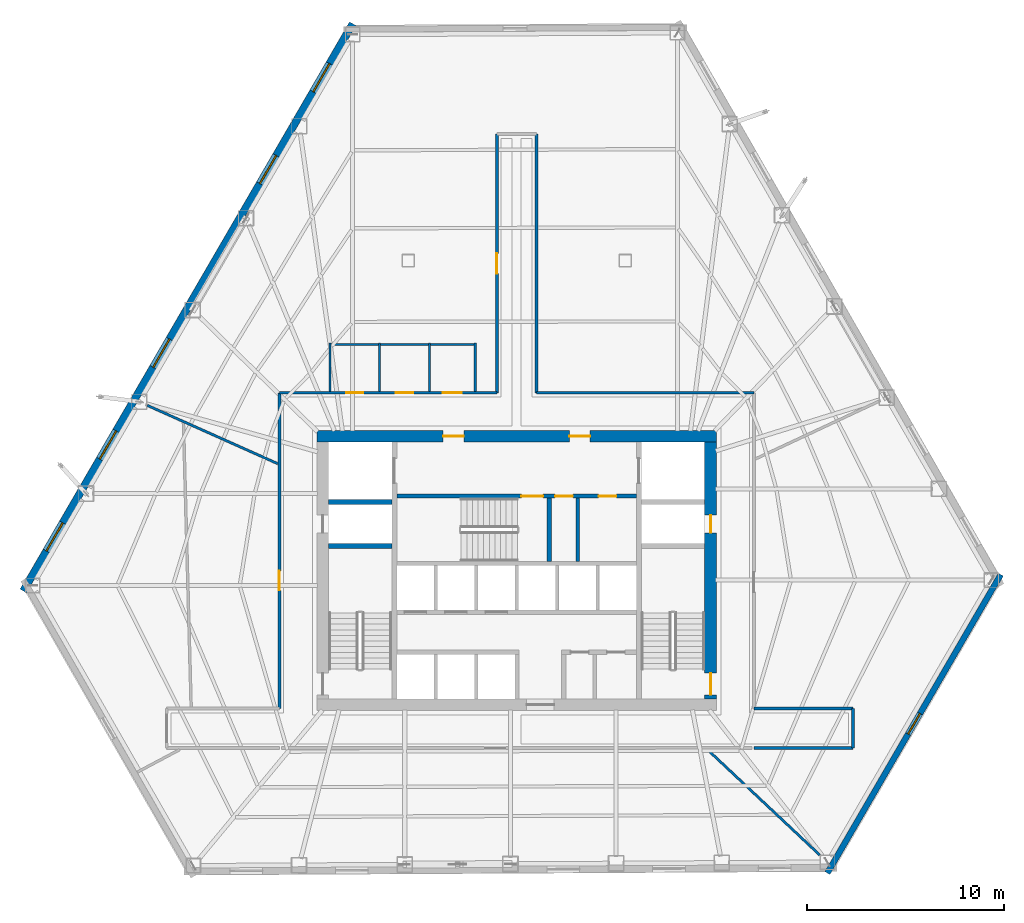
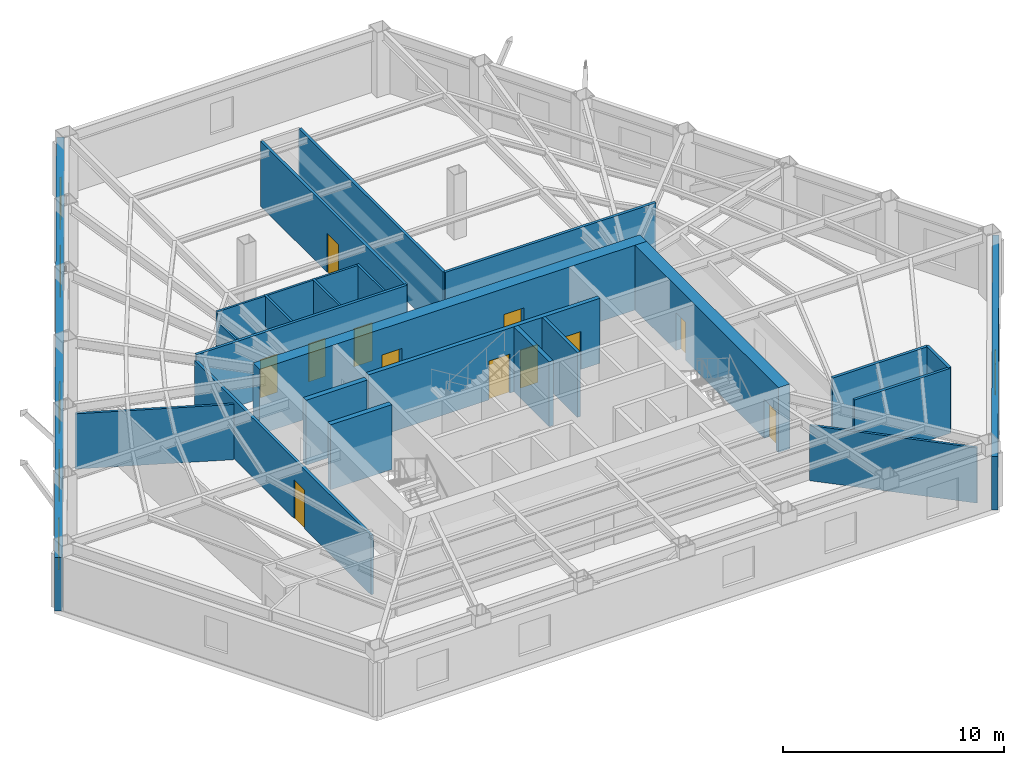
# One storey, part 9 of 12: 24 walls, 12 doors, 6 windows, 18 openings.
"""IFC4 building model written with IfcOpenShell, lengths in metres."""

from ifc_helpers import new_model, si_unit, direction, frame, frame_2d, origin, place, context, subcontext, project, spatial, rectangle, extrude, material, layer, layer_set, type_object, element, fill, save


model = new_model("IFC4")

# Units and contexts
model_context = context("Model", 3, precision=1e-05, world=origin(), true_north=direction((0.0, 1.0)))
body_context = subcontext(model_context, "Body", "Model", "MODEL_VIEW")
ifc_project = project(units=[si_unit("LENGTHUNIT", "METRE"), si_unit("AREAUNIT", "SQUARE_METRE"), si_unit("VOLUMEUNIT", "CUBIC_METRE"), si_unit("PLANEANGLEUNIT", "RADIAN"), si_unit("MASSUNIT", "GRAM", prefix="KILO")], contexts=[model_context])

# Site, building, storey
site_placement = place(None, origin())
site = spatial("IfcSite", under=ifc_project, at=site_placement, CompositionType="ELEMENT")
building_placement = place(site_placement, origin())
building = spatial("IfcBuilding", under=site, at=building_placement, Name="Kavelnor Concourse Tower", CompositionType="ELEMENT")
storey_placement = place(building_placement, frame((0.0, 0.0, 6.0)))
storey = spatial("IfcBuildingStorey", under=building, at=storey_placement, Name="L01", CompositionType="ELEMENT", Elevation=6.0)

# Wall, openings, doors
ifc_material_1 = material(Name="Concrete C60/75", Category="concrete")
ifc_layer_1 = layer(ifc_material_1, 0.60009765625, Name="Concrete C60/75")
ifc_layer_set_1 = layer_set([ifc_layer_1], Name="Concrete C60/75")
wall_type_1 = type_object("IfcWallType", Name="WL-CORE-Z1-600", PredefinedType="SOLIDWALL", material=ifc_layer_set_1)
wall_1_placement = place(storey_placement, frame((27.8798828125, 22.89990234375, 0.0), z_axis=(0.0, 0.0, 1.0), x_axis=(1.0, 0.0, 0.0)))
wall_1 = element("IfcWall", 1, at=wall_1_placement, inside=storey, type_object=wall_type_1, Name="L01 Central Core North Shear Wall", PredefinedType="SOLIDWALL", context=body_context, shape_type="SweptSolid", body=[
    extrude(rectangle(XDim=20.240234375, YDim=0.60009765625, at=frame_2d((10.1201171875, 0.0))), origin(), (0.0, 0.0, 1.0), 3.590087890625),
])
opening_1_placement = place(wall_1_placement, frame((6.39501953125, 0.0, 0.0)))
opening_1 = element("IfcOpeningElement", 2, at=opening_1_placement, cuts=wall_1, Name="Opening FD-105", PredefinedType="OPENING", context=body_context, shape_type="SweptSolid", body=[
    extrude(rectangle(XDim=1.050048828125, YDim=2.14990234375, at=frame_2d((0.52490234375, 1.074951171875))), frame((0.0, 0.31005859375, 0.0), z_axis=(0.0, -1.0, 0.0), x_axis=(1.0, 0.0, 0.0)), (0.0, 0.0, 1.0), 0.6201171875),
])
opening_2_placement = place(wall_1_placement, frame((12.794921875, 0.0, 0.0)))
opening_2 = element("IfcOpeningElement", 3, at=opening_2_placement, cuts=wall_1, Name="Opening FD-105", PredefinedType="OPENING", context=body_context, shape_type="SweptSolid", body=[
    extrude(rectangle(XDim=1.050048828125, YDim=2.14990234375, at=frame_2d((0.52490234375, 1.074951171875))), frame((0.0, 0.31005859375, 0.0), z_axis=(0.0, -1.0, 0.0), x_axis=(1.0, 0.0, 0.0)), (0.0, 0.0, 1.0), 0.6201171875),
])
ifc_material_2 = material(Name="Steel Grade 350", Category="steel")
door_type_1 = type_object("IfcDoorType", Name="DR-LOBBY-FIRE-1050", OperationType="NOTDEFINED", PredefinedType="DOOR", material=ifc_material_2)
door_1_placement = place(opening_1_placement, origin())
door_1 = element("IfcDoor", 4, at=door_1_placement, inside=storey, type_object=door_type_1, Name="L01 Emergency Lift Lobby West Door", OperationType="SINGLE_SWING_LEFT", OverallHeight=2.14990234375, OverallWidth=1.050048828125, PredefinedType="DOOR", context=body_context, shape_type="SweptSolid", body=[
    extrude(rectangle(XDim=1.050048828125, YDim=2.14990234375, at=frame_2d((0.52490234375, 1.074951171875))), frame((0.0, 0.02490234375, 0.0), z_axis=(0.0, -1.0, 0.0), x_axis=(1.0, 0.0, 0.0)), (0.0, 0.0, 1.0), 0.050048828125),
])
fill(opening_1, door_1)
door_2_placement = place(opening_2_placement, origin())
door_2 = element("IfcDoor", 5, at=door_2_placement, inside=storey, type_object=door_type_1, Name="L01 Emergency Lift Lobby East Door", OperationType="SINGLE_SWING_RIGHT", OverallHeight=2.14990234375, OverallWidth=1.050048828125, PredefinedType="DOOR", context=body_context, shape_type="SweptSolid", body=[
    extrude(rectangle(XDim=1.050048828125, YDim=2.14990234375, at=frame_2d((0.52490234375, 1.074951171875))), frame((0.0, 0.02490234375, 0.0), z_axis=(0.0, -1.0, 0.0), x_axis=(1.0, 0.0, 0.0)), (0.0, 0.0, 1.0), 0.050048828125),
])
fill(opening_2, door_2)

wall_2_placement = place(storey_placement, frame((47.820068359375, 9.60009765625, 0.0), z_axis=(0.0, 0.0, 1.0), x_axis=(0.0, 1.0, 0.0)))
wall_2 = element("IfcWall", 6, at=wall_2_placement, inside=storey, type_object=wall_type_1, Name="L01 Central Core East Shear Wall", PredefinedType="SOLIDWALL", context=body_context, shape_type="SweptSolid", body=[
    extrude(rectangle(XDim=13.0, YDim=0.60009765625, at=frame_2d((6.5, 0.0))), origin(), (0.0, 0.0, 1.0), 3.590087890625),
])
opening_3_placement = place(wall_2_placement, frame((0.199951171875, 0.0, 0.0)))
opening_3 = element("IfcOpeningElement", 7, at=opening_3_placement, cuts=wall_2, Name="Opening FD-110", PredefinedType="OPENING", context=body_context, shape_type="SweptSolid", body=[
    extrude(rectangle(XDim=1.10009765625, YDim=2.14990234375, at=frame_2d((0.550048828125, 1.074951171875))), frame((0.0, 0.31005859375, 0.0), z_axis=(0.0, -1.0, 0.0), x_axis=(1.0, 0.0, 0.0)), (0.0, 0.0, 1.0), 0.6201171875),
])
opening_4_placement = place(wall_2_placement, frame((8.39990234375, 0.0, 0.0)))
opening_4 = element("IfcOpeningElement", 8, at=opening_4_placement, cuts=wall_2, Name="Opening FD-090", PredefinedType="OPENING", context=body_context, shape_type="SweptSolid", body=[
    extrude(rectangle(XDim=0.89990234375, YDim=2.10009765625, at=frame_2d((0.449951171875, 1.050048828125))), frame((0.0, 0.31005859375, 0.0), z_axis=(0.0, -1.0, 0.0), x_axis=(1.0, 0.0, 0.0)), (0.0, 0.0, 1.0), 0.6201171875),
])
door_type_2 = type_object("IfcDoorType", Name="DR-RISER-FIRE-900", OperationType="NOTDEFINED", PredefinedType="DOOR", material=ifc_material_2)
door_3_placement = place(opening_4_placement, origin())
door_3 = element("IfcDoor", 9, at=door_3_placement, inside=storey, type_object=door_type_2, Name="L01 East Riser Access Door", OperationType="SINGLE_SWING_LEFT", OverallHeight=2.10009765625, OverallWidth=0.89990234375, PredefinedType="DOOR", context=body_context, shape_type="SweptSolid", body=[
    extrude(rectangle(XDim=0.89990234375, YDim=2.10009765625, at=frame_2d((0.449951171875, 1.050048828125))), frame((0.0, 0.02490234375, 0.0), z_axis=(0.0, -1.0, 0.0), x_axis=(1.0, 0.0, 0.0)), (0.0, 0.0, 1.0), 0.050048828125),
])
fill(opening_4, door_3)
door_type_3 = type_object("IfcDoorType", Name="DR-STAIR-FIRE-1100", OperationType="NOTDEFINED", PredefinedType="DOOR", material=ifc_material_2)
door_4_placement = place(opening_3_placement, origin())
door_4 = element("IfcDoor", 10, at=door_4_placement, inside=storey, type_object=door_type_3, Name="L01 Stair ST2 Fire Door", OperationType="SINGLE_SWING_RIGHT", OverallHeight=2.14990234375, OverallWidth=1.10009765625, PredefinedType="DOOR", context=body_context, shape_type="SweptSolid", body=[
    extrude(rectangle(XDim=1.10009765625, YDim=2.14990234375, at=frame_2d((0.550048828125, 1.074951171875))), frame((0.0, 0.02490234375, 0.0), z_axis=(0.0, -1.0, 0.0), x_axis=(1.0, 0.0, 0.0)), (0.0, 0.0, 1.0), 0.050048828125),
])
fill(opening_3, door_4)

# Wall, opening, window
ifc_material_3 = material(Name="Buff ironspot clay face brick masonry", Category="masonry")
ifc_layer_2 = layer(ifc_material_3, 0.300048828125, Name="Buff ironspot clay face brick masonry")
ifc_layer_set_2 = layer_set([ifc_layer_2], Name="Buff ironspot clay face brick masonry")
wall_type_2 = type_object("IfcWallType", Name="WL-EXT-BUFF-BRICK-FOLD-300", PredefinedType="STANDARD", material=ifc_layer_set_2)
wall_3_placement = place(storey_placement, frame((62.52392578125, 15.89013671875, 0.0), z_axis=(0.0, 0.0, 1.0), x_axis=(-0.502350077129, -0.864664327938, 0.0)))
wall_3 = element("IfcWall", 11, at=wall_3_placement, inside=storey, type_object=wall_type_2, Name="L01 Exterior Brick Facade Wall E4", PredefinedType="STANDARD", context=body_context, shape_type="SweptSolid", body=[
    extrude(rectangle(XDim=17.484619140625, YDim=0.300048828125, at=frame_2d((8.7421875, 0.0))), origin(), (0.0, 0.0, 1.0), 2.969970703125),
])
opening_5_placement = place(wall_3_placement, frame((8.142333984375, 0.0, 0.64990234375)))
opening_5 = element("IfcOpeningElement", 12, at=opening_5_placement, cuts=wall_3, Name="Opening W-05", PredefinedType="OPENING", context=body_context, shape_type="SweptSolid", body=[
    extrude(rectangle(XDim=1.199951171875, YDim=1.699951171875, at=frame_2d((0.60009765625, 0.85009765625))), frame((0.0, 0.16015625, 0.0), z_axis=(0.0, -1.0, 0.0), x_axis=(1.0, 0.0, 0.0)), (0.0, 0.0, 1.0), 0.320068359375),
])
ifc_material_4 = material(Name="Double low-E argon insulated glazing", Category="glass")
window_type_1 = type_object("IfcWindowType", Name="WIN-FOLD-1200", PartitioningType="SINGLE_PANEL", PredefinedType="WINDOW", material=ifc_material_4)
window_1_placement = place(opening_5_placement, origin())
window_1 = element("IfcWindow", 13, at=window_1_placement, inside=storey, type_object=window_type_1, Name="L01 Chamfer-Fold Facet Window C2", OverallHeight=1.699951171875, OverallWidth=1.199951171875, PartitioningType="SINGLE_PANEL", PredefinedType="WINDOW", context=body_context, shape_type="SweptSolid", body=[
    extrude(rectangle(XDim=1.199951171875, YDim=1.699951171875, at=frame_2d((0.60009765625, 0.85009765625))), frame((0.0, 0.030029296875, 0.0), z_axis=(0.0, -1.0, 0.0), x_axis=(1.0, 0.0, 0.0)), (0.0, 0.0, 1.0), 0.06005859375),
])
fill(opening_5, window_1)

# Wall, openings, windows
ifc_material_5 = material(Name="Red-ochre clay face brick masonry", Category="masonry")
ifc_layer_3 = layer(ifc_material_5, 0.3798828125, Name="Red-ochre clay face brick masonry")
ifc_layer_set_3 = layer_set([ifc_layer_3], Name="Red-ochre clay face brick masonry")
wall_type_3 = type_object("IfcWallType", Name="WL-EXT-RED-BRICK-PIER-380", PredefinedType="STANDARD", material=ifc_layer_set_3)
wall_4_placement = place(storey_placement, frame((13.006591796875, 15.0625, 0.0), z_axis=(0.0, 0.0, 1.0), x_axis=(0.502349968378, 0.86466439112, 0.0)))
wall_4 = element("IfcWall", 14, at=wall_4_placement, inside=storey, type_object=wall_type_3, Name="L01 Exterior Brick Facade Wall E1", PredefinedType="STANDARD", context=body_context, shape_type="SweptSolid", body=[
    extrude(rectangle(XDim=33.2294921875, YDim=0.3798828125, at=frame_2d((16.61474609375, 0.0))), origin(), (0.0, 0.0, 1.0), 2.969970703125),
])
opening_6_placement = place(wall_4_placement, frame((29.240234375, 0.0, 0.64990234375)))
opening_6 = element("IfcOpeningElement", 15, at=opening_6_placement, cuts=wall_4, Name="Opening W-01", PredefinedType="OPENING", context=body_context, shape_type="SweptSolid", body=[
    extrude(rectangle(XDim=1.64990234375, YDim=1.75, at=frame_2d((0.824951171875, 0.875))), frame((0.0, 0.199951171875, 0.0), z_axis=(0.0, -1.0, 0.0), x_axis=(1.0, 0.0, 0.0)), (0.0, 0.0, 1.0), 0.39990234375),
])
opening_7_placement = place(wall_4_placement, frame((23.860595703125, 0.0, 0.64990234375)))
opening_7 = element("IfcOpeningElement", 16, at=opening_7_placement, cuts=wall_4, Name="Opening W-01", PredefinedType="OPENING", context=body_context, shape_type="SweptSolid", body=[
    extrude(rectangle(XDim=1.64990234375, YDim=1.75, at=frame_2d((0.824951171875, 0.875))), frame((0.0, 0.199951171875, 0.0), z_axis=(0.0, -1.0, 0.0), x_axis=(1.0, 0.0, 0.0)), (0.0, 0.0, 1.0), 0.39990234375),
])
opening_8_placement = place(wall_4_placement, frame((13.101318359375, 0.0, 0.64990234375)))
opening_8 = element("IfcOpeningElement", 17, at=opening_8_placement, cuts=wall_4, Name="Opening W-01", PredefinedType="OPENING", context=body_context, shape_type="SweptSolid", body=[
    extrude(rectangle(XDim=1.64990234375, YDim=1.75, at=frame_2d((0.824951171875, 0.875))), frame((0.0, 0.199951171875, 0.0), z_axis=(0.0, -1.0, 0.0), x_axis=(1.0, 0.0, 0.0)), (0.0, 0.0, 1.0), 0.39990234375),
])
opening_9_placement = place(wall_4_placement, frame((7.7216796875, 0.0, 0.64990234375)))
opening_9 = element("IfcOpeningElement", 18, at=opening_9_placement, cuts=wall_4, Name="Opening W-01", PredefinedType="OPENING", context=body_context, shape_type="SweptSolid", body=[
    extrude(rectangle(XDim=1.64990234375, YDim=1.75, at=frame_2d((0.824951171875, 0.875))), frame((0.0, 0.199951171875, 0.0), z_axis=(0.0, -1.0, 0.0), x_axis=(1.0, 0.0, 0.0)), (0.0, 0.0, 1.0), 0.39990234375),
])
opening_10_placement = place(wall_4_placement, frame((2.341796875, 0.0, 0.64990234375)))
opening_10 = element("IfcOpeningElement", 19, at=opening_10_placement, cuts=wall_4, Name="Opening W-01", PredefinedType="OPENING", context=body_context, shape_type="SweptSolid", body=[
    extrude(rectangle(XDim=1.64990234375, YDim=1.75, at=frame_2d((0.824951171875, 0.875))), frame((0.0, 0.199951171875, 0.0), z_axis=(0.0, -1.0, 0.0), x_axis=(1.0, 0.0, 0.0)), (0.0, 0.0, 1.0), 0.39990234375),
])
window_type_2 = type_object("IfcWindowType", Name="WIN-PIER-Z1-1800", PartitioningType="SINGLE_PANEL", PredefinedType="WINDOW", material=ifc_material_4)
window_2_placement = place(opening_6_placement, origin())
window_2 = element("IfcWindow", 20, at=window_2_placement, inside=storey, type_object=window_type_2, Name="L01 Deep-Set Brick Pier Window F0-B0", OverallHeight=1.75, OverallWidth=1.64990234375, PartitioningType="SINGLE_PANEL", PredefinedType="WINDOW", context=body_context, shape_type="SweptSolid", body=[
    extrude(rectangle(XDim=1.64990234375, YDim=1.75, at=frame_2d((0.824951171875, 0.875))), frame((0.0, 0.030029296875, 0.0), z_axis=(0.0, -1.0, 0.0), x_axis=(1.0, 0.0, 0.0)), (0.0, 0.0, 1.0), 0.06005859375),
])
fill(opening_6, window_2)
window_3_placement = place(opening_7_placement, origin())
window_3 = element("IfcWindow", 21, at=window_3_placement, inside=storey, type_object=window_type_2, Name="L01 Deep-Set Brick Pier Window F0-B1", OverallHeight=1.75, OverallWidth=1.64990234375, PartitioningType="SINGLE_PANEL", PredefinedType="WINDOW", context=body_context, shape_type="SweptSolid", body=[
    extrude(rectangle(XDim=1.64990234375, YDim=1.75, at=frame_2d((0.824951171875, 0.875))), frame((0.0, 0.030029296875, 0.0), z_axis=(0.0, -1.0, 0.0), x_axis=(1.0, 0.0, 0.0)), (0.0, 0.0, 1.0), 0.06005859375),
])
fill(opening_7, window_3)
window_4_placement = place(opening_8_placement, origin())
window_4 = element("IfcWindow", 22, at=window_4_placement, inside=storey, type_object=window_type_2, Name="L01 Deep-Set Brick Pier Window F0-B3", OverallHeight=1.75, OverallWidth=1.64990234375, PartitioningType="SINGLE_PANEL", PredefinedType="WINDOW", context=body_context, shape_type="SweptSolid", body=[
    extrude(rectangle(XDim=1.64990234375, YDim=1.75, at=frame_2d((0.824951171875, 0.875))), frame((0.0, 0.030029296875, 0.0), z_axis=(0.0, -1.0, 0.0), x_axis=(1.0, 0.0, 0.0)), (0.0, 0.0, 1.0), 0.06005859375),
])
fill(opening_8, window_4)
window_5_placement = place(opening_9_placement, origin())
window_5 = element("IfcWindow", 23, at=window_5_placement, inside=storey, type_object=window_type_2, Name="L01 Deep-Set Brick Pier Window F0-B4", OverallHeight=1.75, OverallWidth=1.64990234375, PartitioningType="SINGLE_PANEL", PredefinedType="WINDOW", context=body_context, shape_type="SweptSolid", body=[
    extrude(rectangle(XDim=1.64990234375, YDim=1.75, at=frame_2d((0.824951171875, 0.875))), frame((0.0, 0.030029296875, 0.0), z_axis=(0.0, -1.0, 0.0), x_axis=(1.0, 0.0, 0.0)), (0.0, 0.0, 1.0), 0.06005859375),
])
fill(opening_9, window_5)
window_6_placement = place(opening_10_placement, origin())
window_6 = element("IfcWindow", 24, at=window_6_placement, inside=storey, type_object=window_type_2, Name="L01 Deep-Set Brick Pier Window F0-B5", OverallHeight=1.75, OverallWidth=1.64990234375, PartitioningType="SINGLE_PANEL", PredefinedType="WINDOW", context=body_context, shape_type="SweptSolid", body=[
    extrude(rectangle(XDim=1.64990234375, YDim=1.75, at=frame_2d((0.824951171875, 0.875))), frame((0.0, 0.030029296875, 0.0), z_axis=(0.0, -1.0, 0.0), x_axis=(1.0, 0.0, 0.0)), (0.0, 0.0, 1.0), 0.06005859375),
])
fill(opening_10, window_6)

# Wall, opening, door
ifc_material_6 = material(Name="Gypsum plasterboard on light-gauge steel studs", Category="steel")
ifc_layer_4 = layer(ifc_material_6, 0.14501953125, Name="Gypsum plasterboard on light-gauge steel studs")
ifc_layer_set_4 = layer_set([ifc_layer_4], Name="Gypsum plasterboard on light-gauge steel studs")
wall_type_4 = type_object("IfcWallType", Name="WL-INT-CORR-145", PredefinedType="PARTITIONING", material=ifc_layer_set_4)
wall_5_placement = place(storey_placement, frame((25.97998046875, 9.10009765625, 0.0), z_axis=(0.0, 0.0, 1.0), x_axis=(0.0, 1.0, 0.0)))
wall_5 = element("IfcWall", 25, at=wall_5_placement, inside=storey, type_object=wall_type_4, Name="L01 Corridor Wall WL-L01-CR-02", PredefinedType="PARTITIONING", context=body_context, shape_type="SweptSolid", body=[
    extrude(rectangle(XDim=16.0, YDim=0.14501953125, at=frame_2d((8.0, 0.0))), origin(), (0.0, 0.0, 1.0), 3.278076171875),
])
opening_11_placement = place(wall_5_placement, frame((5.996826171875, 0.0, 0.0)))
opening_11 = element("IfcOpeningElement", 26, at=opening_11_placement, cuts=wall_5, Name="Opening OD-098", PredefinedType="OPENING", context=body_context, shape_type="SweptSolid", body=[
    extrude(rectangle(XDim=0.97998046875, YDim=2.14990234375, at=frame_2d((0.489990234375, 1.074951171875))), frame((0.0, 0.08251953125, 0.0), z_axis=(0.0, -1.0, 0.0), x_axis=(1.0, 0.0, 0.0)), (0.0, 0.0, 1.0), 0.1650390625),
])
ifc_material_7 = material(Name="Solid-core hardwood timber", Category="wood")
door_type_4 = type_object("IfcDoorType", Name="DR-OFFICE-980", OperationType="NOTDEFINED", PredefinedType="DOOR", material=ifc_material_7)
door_5_placement = place(opening_11_placement, origin())
door_5 = element("IfcDoor", 27, at=door_5_placement, inside=storey, type_object=door_type_4, Name="L01 Executive Dining Room 02 Door", OperationType="SINGLE_SWING_RIGHT", OverallHeight=2.14990234375, OverallWidth=0.97998046875, PredefinedType="DOOR", context=body_context, shape_type="SweptSolid", body=[
    extrude(rectangle(XDim=0.97998046875, YDim=2.14990234375, at=frame_2d((0.489990234375, 1.074951171875))), frame((0.0, 0.02490234375, 0.0), z_axis=(0.0, -1.0, 0.0), x_axis=(1.0, 0.0, 0.0)), (0.0, 0.0, 1.0), 0.050048828125),
])
fill(opening_11, door_5)

# Wall, openings, doors
wall_6_placement = place(storey_placement, frame((25.97998046875, 25.10009765625, 0.0), z_axis=(0.0, 0.0, 1.0), x_axis=(1.0, 0.0, 0.0)))
wall_6 = element("IfcWall", 28, at=wall_6_placement, inside=storey, type_object=wall_type_4, Name="L01 Corridor Wall WL-L01-CR-03", PredefinedType="PARTITIONING", context=body_context, shape_type="SweptSolid", body=[
    extrude(rectangle(XDim=11.02001953125, YDim=0.14501953125, at=frame_2d((5.510009765625, 0.0))), origin(), (0.0, 0.0, 1.0), 3.590087890625),
])
opening_12_placement = place(wall_6_placement, frame((3.3798828125, 0.0, 0.0)))
opening_12 = element("IfcOpeningElement", 29, at=opening_12_placement, cuts=wall_6, Name="Opening WD-088", PredefinedType="OPENING", context=body_context, shape_type="SweptSolid", body=[
    extrude(rectangle(XDim=0.8798828125, YDim=2.10009765625, at=frame_2d((0.43994140625, 1.050048828125))), frame((0.0, 0.08251953125, 0.0), z_axis=(0.0, -1.0, 0.0), x_axis=(1.0, 0.0, 0.0)), (0.0, 0.0, 1.0), 0.1650390625),
])
opening_13_placement = place(wall_6_placement, frame((5.89990234375, 0.0, 0.0)))
opening_13 = element("IfcOpeningElement", 30, at=opening_13_placement, cuts=wall_6, Name="Opening WD-088", PredefinedType="OPENING", context=body_context, shape_type="SweptSolid", body=[
    extrude(rectangle(XDim=0.8798828125, YDim=2.10009765625, at=frame_2d((0.43994140625, 1.050048828125))), frame((0.0, 0.08251953125, 0.0), z_axis=(0.0, -1.0, 0.0), x_axis=(1.0, 0.0, 0.0)), (0.0, 0.0, 1.0), 0.1650390625),
])
opening_14_placement = place(wall_6_placement, frame((8.280029296875, 0.0, 0.0)))
opening_14 = element("IfcOpeningElement", 31, at=opening_14_placement, cuts=wall_6, Name="Opening WD-096", PredefinedType="OPENING", context=body_context, shape_type="SweptSolid", body=[
    extrude(rectangle(XDim=0.9599609375, YDim=2.10009765625, at=frame_2d((0.47998046875, 1.050048828125))), frame((0.0, 0.08251953125, 0.0), z_axis=(0.0, -1.0, 0.0), x_axis=(1.0, 0.0, 0.0)), (0.0, 0.0, 1.0), 0.1650390625),
])
door_type_5 = type_object("IfcDoorType", Name="DR-WC-ACC-960", OperationType="NOTDEFINED", PredefinedType="DOOR", material=ifc_material_7)
door_6_placement = place(opening_14_placement, origin())
door_6 = element("IfcDoor", 32, at=door_6_placement, inside=storey, type_object=door_type_5, Name="L01 Accessible WC Door", OperationType="SINGLE_SWING_RIGHT", OverallHeight=2.10009765625, OverallWidth=0.9599609375, PredefinedType="DOOR", context=body_context, shape_type="SweptSolid", body=[
    extrude(rectangle(XDim=0.9599609375, YDim=2.10009765625, at=frame_2d((0.47998046875, 1.050048828125))), frame((0.0, 0.02490234375, 0.0), z_axis=(0.0, -1.0, 0.0), x_axis=(1.0, 0.0, 0.0)), (0.0, 0.0, 1.0), 0.050048828125),
])
fill(opening_14, door_6)
door_type_6 = type_object("IfcDoorType", Name="DR-WC-STD-880", OperationType="NOTDEFINED", PredefinedType="DOOR", material=ifc_material_7)
door_7_placement = place(opening_12_placement, origin())
door_7 = element("IfcDoor", 33, at=door_7_placement, inside=storey, type_object=door_type_6, Name="L01 Male WC Door", OperationType="SINGLE_SWING_RIGHT", OverallHeight=2.10009765625, OverallWidth=0.8798828125, PredefinedType="DOOR", context=body_context, shape_type="SweptSolid", body=[
    extrude(rectangle(XDim=0.8798828125, YDim=2.10009765625, at=frame_2d((0.43994140625, 1.050048828125))), frame((0.0, 0.02490234375, 0.0), z_axis=(0.0, -1.0, 0.0), x_axis=(1.0, 0.0, 0.0)), (0.0, 0.0, 1.0), 0.050048828125),
])
fill(opening_12, door_7)
door_8_placement = place(opening_13_placement, origin())
door_8 = element("IfcDoor", 34, at=door_8_placement, inside=storey, type_object=door_type_6, Name="L01 Female WC Door", OperationType="SINGLE_SWING_LEFT", OverallHeight=2.10009765625, OverallWidth=0.8798828125, PredefinedType="DOOR", context=body_context, shape_type="SweptSolid", body=[
    extrude(rectangle(XDim=0.8798828125, YDim=2.10009765625, at=frame_2d((0.43994140625, 1.050048828125))), frame((0.0, 0.02490234375, 0.0), z_axis=(0.0, -1.0, 0.0), x_axis=(1.0, 0.0, 0.0)), (0.0, 0.0, 1.0), 0.050048828125),
])
fill(opening_13, door_8)

# Wall, opening, door
wall_7_placement = place(storey_placement, frame((37.0, 25.10009765625, 0.0), z_axis=(0.0, 0.0, 1.0), x_axis=(0.0, 1.0, 0.0)))
wall_7 = element("IfcWall", 35, at=wall_7_placement, inside=storey, type_object=wall_type_4, Name="L01 Corridor Wall WL-L01-CR-04", PredefinedType="PARTITIONING", context=body_context, shape_type="SweptSolid", body=[
    extrude(rectangle(XDim=13.099853515625, YDim=0.14501953125, at=frame_2d((6.5498046875, 0.0))), origin(), (0.0, 0.0, 1.0), 3.590087890625),
])
opening_15_placement = place(wall_7_placement, frame((6.0400390625, 0.0, 0.0)))
opening_15 = element("IfcOpeningElement", 36, at=opening_15_placement, cuts=wall_7, Name="Opening MD-102", PredefinedType="OPENING", context=body_context, shape_type="SweptSolid", body=[
    extrude(rectangle(XDim=1.02001953125, YDim=2.14990234375, at=frame_2d((0.510009765625, 1.074951171875))), frame((0.0, 0.08251953125, 0.0), z_axis=(0.0, -1.0, 0.0), x_axis=(1.0, 0.0, 0.0)), (0.0, 0.0, 1.0), 0.1650390625),
])
ifc_material_8 = material(Name="Acoustic glazed timber frame", Category="wood")
door_type_7 = type_object("IfcDoorType", Name="DR-MEETING-1020", OperationType="NOTDEFINED", PredefinedType="DOOR", material=ifc_material_8)
door_9_placement = place(opening_15_placement, origin())
door_9 = element("IfcDoor", 37, at=door_9_placement, inside=storey, type_object=door_type_7, Name="L01 Client Boardroom 01 Door", OperationType="SINGLE_SWING_LEFT", OverallHeight=2.14990234375, OverallWidth=1.02001953125, PredefinedType="DOOR", context=body_context, shape_type="SweptSolid", body=[
    extrude(rectangle(XDim=1.02001953125, YDim=2.14990234375, at=frame_2d((0.510009765625, 1.074951171875))), frame((0.0, 0.02490234375, 0.0), z_axis=(0.0, -1.0, 0.0), x_axis=(1.0, 0.0, 0.0)), (0.0, 0.0, 1.0), 0.050048828125),
])
fill(opening_15, door_9)

# Walls
wall_8_placement = place(storey_placement, frame((39.0, 38.199951171875, 0.0), z_axis=(0.0, 0.0, 1.0), x_axis=(0.0, -1.0, 0.0)))
element("IfcWall", 38, at=wall_8_placement, inside=storey, type_object=wall_type_4, Name="L01 Corridor Wall WL-L01-CR-06", PredefinedType="PARTITIONING", context=body_context, shape_type="SweptSolid", body=[
    extrude(rectangle(XDim=13.099853515625, YDim=0.14501953125, at=frame_2d((6.5498046875, 0.0))), origin(), (0.0, 0.0, 1.0), 3.590087890625),
])
wall_9_placement = place(storey_placement, frame((39.0, 25.10009765625, 0.0), z_axis=(0.0, 0.0, 1.0), x_axis=(1.0, 0.0, 0.0)))
element("IfcWall", 39, at=wall_9_placement, inside=storey, type_object=wall_type_4, Name="L01 Corridor Wall WL-L01-CR-07", PredefinedType="PARTITIONING", context=body_context, shape_type="SweptSolid", body=[
    extrude(rectangle(XDim=11.02001953125, YDim=0.14501953125, at=frame_2d((5.510009765625, 0.0))), origin(), (0.0, 0.0, 1.0), 3.590087890625),
])
wall_10_placement = place(storey_placement, frame((50.02001953125, 9.10009765625, 0.0), z_axis=(0.0, 0.0, 1.0), x_axis=(1.0, 0.0, 0.0)))
element("IfcWall", 40, at=wall_10_placement, inside=storey, type_object=wall_type_4, Name="L01 Corridor Wall WL-L01-CR-09", PredefinedType="PARTITIONING", context=body_context, shape_type="SweptSolid", body=[
    extrude(rectangle(XDim=5.020263671875, YDim=0.14501953125, at=frame_2d((2.51025390625, 0.0))), origin(), (0.0, 0.0, 1.0), 3.590087890625),
])
wall_11_placement = place(storey_placement, frame((55.040283203125, 9.10009765625, 0.0), z_axis=(0.0, 0.0, 1.0), x_axis=(0.0, -1.0, 0.0)))
element("IfcWall", 41, at=wall_11_placement, inside=storey, type_object=wall_type_4, Name="L01 Corridor Wall WL-L01-CR-10", PredefinedType="PARTITIONING", context=body_context, shape_type="SweptSolid", body=[
    extrude(rectangle(XDim=2.0, YDim=0.14501953125, at=frame_2d((1.0, 0.0))), origin(), (0.0, 0.0, 1.0), 3.590087890625),
])
wall_12_placement = place(storey_placement, frame((55.040283203125, 7.10009765625, 0.0), z_axis=(0.0, 0.0, 1.0), x_axis=(-1.0, 0.0, 0.0)))
element("IfcWall", 42, at=wall_12_placement, inside=storey, type_object=wall_type_4, Name="L01 Corridor Wall WL-L01-CR-11", PredefinedType="PARTITIONING", context=body_context, shape_type="SweptSolid", body=[
    extrude(rectangle(XDim=5.020263671875, YDim=0.14501953125, at=frame_2d((2.51025390625, 0.0))), origin(), (0.0, 0.0, 1.0), 3.590087890625),
])
ifc_layer_5 = layer(ifc_material_6, 0.1650390625, Name="Gypsum plasterboard on light-gauge steel studs")
ifc_layer_set_5 = layer_set([ifc_layer_5], Name="Gypsum plasterboard on light-gauge steel studs")
wall_type_5 = type_object("IfcWallType", Name="WL-INT-FIRE-165", PredefinedType="PARTITIONING", material=ifc_layer_set_5)
wall_13_placement = place(storey_placement, frame((41.10009765625, 16.56005859375, 0.0), z_axis=(0.0, 0.0, 1.0), x_axis=(0.0, 1.0, 0.0)))
element("IfcWall", 43, at=wall_13_placement, inside=storey, type_object=wall_type_5, Name="L01 Core Support West Divider", PredefinedType="PARTITIONING", context=body_context, shape_type="SweptSolid", body=[
    extrude(rectangle(XDim=3.199951171875, YDim=0.1650390625, at=frame_2d((1.60009765625, 0.0))), origin(), (0.0, 0.0, 1.0), 3.590087890625),
])
ifc_layer_6 = layer(ifc_material_6, 0.125, Name="Gypsum plasterboard on light-gauge steel studs")
ifc_layer_set_6 = layer_set([ifc_layer_6], Name="Gypsum plasterboard on light-gauge steel studs")
wall_type_6 = type_object("IfcWallType", Name="WL-INT-SUITE-125", PredefinedType="PARTITIONING", material=ifc_layer_set_6)
wall_14_placement = place(storey_placement, frame((25.8994140625, 21.5078125, 0.0), z_axis=(0.0, 0.0, 1.0), x_axis=(-0.912984646815, 0.407993915004, 0.0)))
element("IfcWall", 44, at=wall_14_placement, inside=storey, type_object=wall_type_6, Name="L01 Radial Suite Partition 02", PredefinedType="PARTITIONING", context=body_context, shape_type="SweptSolid", body=[
    extrude(rectangle(XDim=7.236328125, YDim=0.125, at=frame_2d((3.6181640625, 0.0))), origin(), (0.0, 0.0, 1.0), 3.056884765625),
])
wall_15_placement = place(storey_placement, frame((47.672119140625, 7.01953125, 0.0), z_axis=(0.0, 0.0, 1.0), x_axis=(0.729045932386, -0.684464775186, 0.0)))
element("IfcWall", 45, at=wall_15_placement, inside=storey, type_object=wall_type_6, Name="L01 Radial Suite Partition 04", PredefinedType="PARTITIONING", context=body_context, shape_type="SweptSolid", body=[
    extrude(rectangle(XDim=7.79833984375, YDim=0.125, at=frame_2d((3.899169921875, 0.0))), origin(), (0.0, 0.0, 1.0), 3.056884765625),
])
ifc_layer_7 = layer(ifc_material_6, 0.110107421875, Name="Gypsum plasterboard on light-gauge steel studs")
ifc_layer_set_7 = layer_set([ifc_layer_7], Name="Gypsum plasterboard on light-gauge steel studs")
wall_type_7 = type_object("IfcWallType", Name="WL-INT-WC-110", PredefinedType="PLUMBINGWALL", material=ifc_layer_set_7)
wall_16_placement = place(storey_placement, frame((28.5400390625, 25.169921875, 0.0), z_axis=(0.0, 0.0, 1.0), x_axis=(0.0, 1.0, 0.0)))
element("IfcWall", 46, at=wall_16_placement, inside=storey, type_object=wall_type_7, Name="L01 Sanitary Partition WL-L01-WC-W", PredefinedType="PLUMBINGWALL", context=body_context, shape_type="SweptSolid", body=[
    extrude(rectangle(XDim=2.440185546875, YDim=0.110107421875, at=frame_2d((1.22021484375, 0.0))), origin(), (0.0, 0.0, 1.0), 3.056884765625),
])
for number, where, z_axis, x_axis, name in (
    (47, (31.06005859375, 25.169921875, 0.0), (0.0, 0.0, 1.0), (0.0, 1.0, 0.0), "L01 Sanitary Partition WL-L01-WC-D1"),
    (48, (33.580078125, 25.169921875, 0.0), (0.0, 0.0, 1.0), (0.0, 1.0, 0.0), "L01 Sanitary Partition WL-L01-WC-D2"),
    (49, (35.89990234375, 25.169921875, 0.0), (0.0, 0.0, 1.0), (0.0, 1.0, 0.0), "L01 Sanitary Partition WL-L01-WC-E"),
):
    element("IfcWall", number, at=place(storey_placement, frame(where, z_axis=z_axis, x_axis=x_axis)), inside=storey, type_object=wall_type_7, Name=name, PredefinedType="PLUMBINGWALL", context=body_context, shape_type="SweptSolid", body=[
        extrude(rectangle(XDim=2.440185546875, YDim=0.110107421875, at=frame_2d((1.22021484375, 0.0))), origin(), (0.0, 0.0, 1.0), 3.590087890625),
    ])
wall_17_placement = place(storey_placement, frame((28.489990234375, 27.550048828125, 0.0), z_axis=(0.0, 0.0, 1.0), x_axis=(1.0, 0.0, 0.0)))
element("IfcWall", 50, at=wall_17_placement, inside=storey, type_object=wall_type_7, Name="L01 Sanitary Partition WL-L01-WC-N", PredefinedType="PLUMBINGWALL", context=body_context, shape_type="SweptSolid", body=[
    extrude(rectangle(XDim=7.4599609375, YDim=0.110107421875, at=frame_2d((3.72998046875, 0.0))), origin(), (0.0, 0.0, 1.0), 3.590087890625),
])

# Wall, openings, doors
ifc_material_9 = material(Name="Concrete C50/60", Category="concrete")
ifc_layer_8 = layer(ifc_material_9, 0.219970703125, Name="Concrete C50/60")
ifc_layer_set_8 = layer_set([ifc_layer_8], Name="Concrete C50/60")
wall_type_8 = type_object("IfcWallType", Name="WL-SHAFT-220", PredefinedType="SOLIDWALL", material=ifc_layer_set_8)
wall_18_placement = place(storey_placement, frame((31.93994140625, 19.8701171875, 0.0), z_axis=(0.0, 0.0, 1.0), x_axis=(1.0, 0.0, 0.0)))
wall_18 = element("IfcWall", 51, at=wall_18_placement, inside=storey, type_object=wall_type_8, Name="L01 Emergency Lift Lobby South Wall", PredefinedType="SOLIDWALL", context=body_context, shape_type="SweptSolid", body=[
    extrude(rectangle(XDim=12.1201171875, YDim=0.219970703125, at=frame_2d((6.06005859375, 0.0))), origin(), (0.0, 0.0, 1.0), 3.590087890625),
])
opening_16_placement = place(wall_18_placement, frame((6.300048828125, 0.0, 0.0)))
opening_16 = element("IfcOpeningElement", 52, at=opening_16_placement, cuts=wall_18, Name="Opening FD-110", PredefinedType="OPENING", context=body_context, shape_type="SweptSolid", body=[
    extrude(rectangle(XDim=1.10009765625, YDim=2.14990234375, at=frame_2d((0.550048828125, 1.074951171875))), frame((0.0, 0.1201171875, 0.0), z_axis=(0.0, -1.0, 0.0), x_axis=(1.0, 0.0, 0.0)), (0.0, 0.0, 1.0), 0.239990234375),
])
opening_17_placement = place(wall_18_placement, frame((8.010009765625, 0.0, 0.0)))
opening_17 = element("IfcOpeningElement", 53, at=opening_17_placement, cuts=wall_18, Name="Opening FD-090", PredefinedType="OPENING", context=body_context, shape_type="SweptSolid", body=[
    extrude(rectangle(XDim=0.89990234375, YDim=2.10009765625, at=frame_2d((0.449951171875, 1.050048828125))), frame((0.0, 0.1201171875, 0.0), z_axis=(0.0, -1.0, 0.0), x_axis=(1.0, 0.0, 0.0)), (0.0, 0.0, 1.0), 0.239990234375),
])
opening_18_placement = place(wall_18_placement, frame((10.2099609375, 0.0, 0.0)))
opening_18 = element("IfcOpeningElement", 54, at=opening_18_placement, cuts=wall_18, Name="Opening FD-090", PredefinedType="OPENING", context=body_context, shape_type="SweptSolid", body=[
    extrude(rectangle(XDim=0.89990234375, YDim=2.10009765625, at=frame_2d((0.449951171875, 1.050048828125))), frame((0.0, 0.1201171875, 0.0), z_axis=(0.0, -1.0, 0.0), x_axis=(1.0, 0.0, 0.0)), (0.0, 0.0, 1.0), 0.239990234375),
])
door_10_placement = place(opening_17_placement, origin())
door_10 = element("IfcDoor", 55, at=door_10_placement, inside=storey, type_object=door_type_2, Name="L01 Cleaner Door", OperationType="SINGLE_SWING_RIGHT", OverallHeight=2.10009765625, OverallWidth=0.89990234375, PredefinedType="DOOR", context=body_context, shape_type="SweptSolid", body=[
    extrude(rectangle(XDim=0.89990234375, YDim=2.10009765625, at=frame_2d((0.449951171875, 1.050048828125))), frame((0.0, 0.02490234375, 0.0), z_axis=(0.0, -1.0, 0.0), x_axis=(1.0, 0.0, 0.0)), (0.0, 0.0, 1.0), 0.050048828125),
])
fill(opening_17, door_10)
door_11_placement = place(opening_18_placement, origin())
door_11 = element("IfcDoor", 56, at=door_11_placement, inside=storey, type_object=door_type_2, Name="L01 UPS Room Door", OperationType="SINGLE_SWING_LEFT", OverallHeight=2.10009765625, OverallWidth=0.89990234375, PredefinedType="DOOR", context=body_context, shape_type="SweptSolid", body=[
    extrude(rectangle(XDim=0.89990234375, YDim=2.10009765625, at=frame_2d((0.449951171875, 1.050048828125))), frame((0.0, 0.02490234375, 0.0), z_axis=(0.0, -1.0, 0.0), x_axis=(1.0, 0.0, 0.0)), (0.0, 0.0, 1.0), 0.050048828125),
])
fill(opening_18, door_11)
door_12_placement = place(opening_16_placement, origin())
door_12 = element("IfcDoor", 57, at=door_12_placement, inside=storey, type_object=door_type_3, Name="L01 Stair ST3 Fire Door", OperationType="SINGLE_SWING_LEFT", OverallHeight=2.14990234375, OverallWidth=1.10009765625, PredefinedType="DOOR", context=body_context, shape_type="SweptSolid", body=[
    extrude(rectangle(XDim=1.10009765625, YDim=2.14990234375, at=frame_2d((0.550048828125, 1.074951171875))), frame((0.0, 0.02490234375, 0.0), z_axis=(0.0, -1.0, 0.0), x_axis=(1.0, 0.0, 0.0)), (0.0, 0.0, 1.0), 0.050048828125),
])
fill(opening_16, door_12)

# Walls
wall_19_placement = place(storey_placement, frame((39.64990234375, 16.56005859375, 0.0), z_axis=(0.0, 0.0, 1.0), x_axis=(0.0, 1.0, 0.0)))
element("IfcWall", 58, at=wall_19_placement, inside=storey, type_object=wall_type_8, Name="L01 Stair ST3 East Core Wall", PredefinedType="SOLIDWALL", context=body_context, shape_type="SweptSolid", body=[
    extrude(rectangle(XDim=3.199951171875, YDim=0.219970703125, at=frame_2d((1.60009765625, 0.0))), origin(), (0.0, 0.0, 1.0), 3.590087890625),
])
ifc_layer_9 = layer(ifc_material_9, 0.260009765625, Name="Concrete C50/60")
ifc_layer_set_9 = layer_set([ifc_layer_9], Name="Concrete C50/60")
wall_type_9 = type_object("IfcWallType", Name="WL-SHAFT-260", PredefinedType="SHEAR", material=ifc_layer_set_9)
for number, where, z_axis, x_axis, name in (
    (59, (28.47998046875, 17.330078125, 0.0), (0.0, 0.0, 1.0), (1.0, 0.0, 0.0), "L01 Stair ST1 North Shaft Wall"),
    (60, (28.47998046875, 19.570068359375, 0.0), (0.0, 0.0, 1.0), (1.0, 0.0, 0.0), "L01 Emergency Lift FL1 South Shaft Wall"),
):
    element("IfcWall", number, at=place(storey_placement, frame(where, z_axis=z_axis, x_axis=x_axis)), inside=storey, type_object=wall_type_9, Name=name, PredefinedType="SHEAR", context=body_context, shape_type="SweptSolid", body=[
        extrude(rectangle(XDim=3.199951171875, YDim=0.260009765625, at=frame_2d((1.60009765625, 0.0))), origin(), (0.0, 0.0, 1.0), 3.590087890625),
    ])

save(model, "model.ifc")
